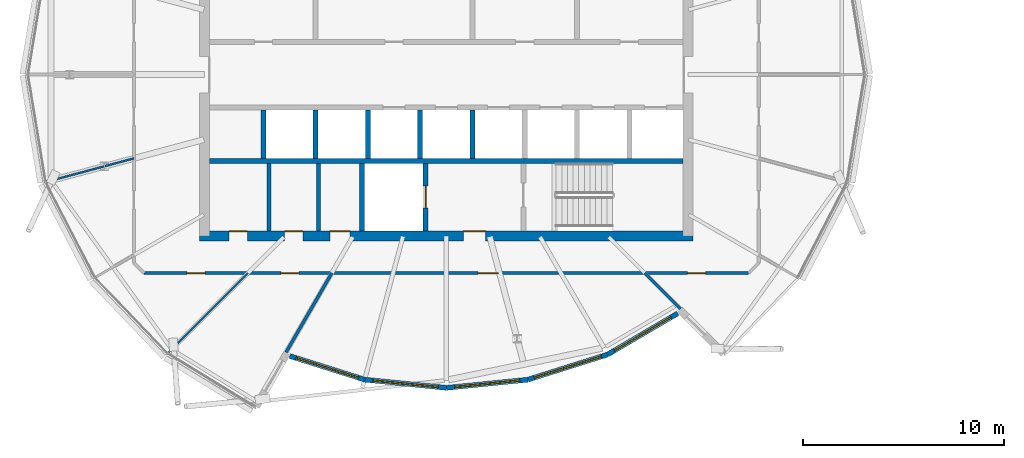
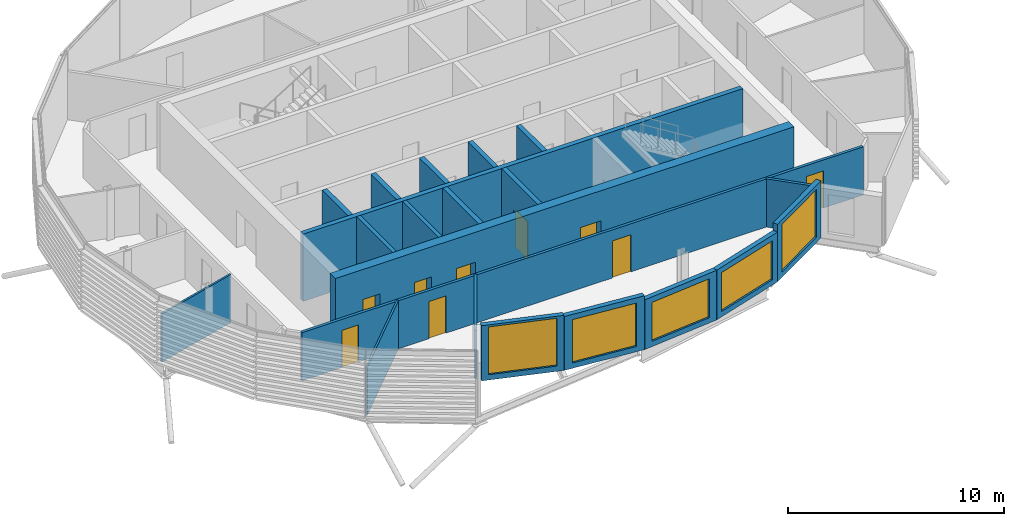
# One storey, part 18 of 35: 21 walls, 9 doors, 5 windows, 14 openings.
"""IFC4 building model written with IfcOpenShell, lengths in metres."""

from ifc_helpers import new_model, si_unit, direction, frame, frame_2d, origin, place, context, subcontext, project, spatial, rectangle, extrude, material, layer, layer_set, type_object, element, fill, save


model = new_model("IFC4")

# Units and contexts
model_context = context("Model", 3, precision=1e-05, world=origin(), true_north=direction((0.0, 1.0)))
body_context = subcontext(model_context, "Body", "Model", "MODEL_VIEW")
ifc_project = project(units=[si_unit("LENGTHUNIT", "METRE"), si_unit("AREAUNIT", "SQUARE_METRE"), si_unit("VOLUMEUNIT", "CUBIC_METRE"), si_unit("PLANEANGLEUNIT", "RADIAN"), si_unit("MASSUNIT", "GRAM", prefix="KILO")], contexts=[model_context])

# Site, building, storey
site_placement = place(None, origin())
site = spatial("IfcSite", under=ifc_project, at=site_placement, CompositionType="ELEMENT")
building_placement = place(site_placement, origin())
building = spatial("IfcBuilding", under=site, at=building_placement, Name="Rimbun Link Towers", CompositionType="ELEMENT")
storey_placement = place(building_placement, frame((0.0, 0.0, 229.5)))
storey = spatial("IfcBuildingStorey", under=building, at=storey_placement, Name="L56", CompositionType="ELEMENT", Elevation=229.5)

# Wall, opening, window
ifc_material_1 = material(Name="Dark enamelled glass spandrel on insulated aluminium backpan", Category="aluminium")
ifc_layer_1 = layer(ifc_material_1, 0.25)
ifc_layer_set_1 = layer_set([ifc_layer_1], Name="CS dark enamelled spandrel wall 250")
wall_type_1 = type_object("IfcWallType", Name="CS dark enamelled spandrel wall 250", PredefinedType="STANDARD", material=ifc_layer_set_1)
wall_1_placement = place(storey_placement, frame((-35.79931640625, -15.140625, 0.0), z_axis=(0.0, 0.0, 1.0), x_axis=(-0.953630833342, 0.300978792773, 0.0)))
wall_1 = element("IfcWall", 1, at=wall_1_placement, inside=storey, type_object=wall_type_1, Name="Crease spandrel wall", PredefinedType="STANDARD", context=body_context, shape_type="SweptSolid", body=[
    extrude(rectangle(XDim=3.90576171875, YDim=0.25, at=frame_2d((1.952880859375, 0.0))), origin(), (0.0, 0.0, 1.0), 3.116943359375),
])
opening_1_placement = place(wall_1_placement, frame((0.327880859375, 0.0, 0.300048828125)))
opening_1 = element("IfcOpeningElement", 2, at=opening_1_placement, cuts=wall_1, Name="Opening WR32H270", PredefinedType="OPENING", context=body_context, shape_type="SweptSolid", body=[
    extrude(rectangle(XDim=3.25, YDim=2.699951171875, at=frame_2d((1.625, 1.35009765625))), frame((0.0, 0.135009765625, 0.0), z_axis=(0.0, -1.0, 0.0), x_axis=(1.0, 0.0, 0.0)), (0.0, 0.0, 1.0), 0.27001953125),
])
ifc_material_2 = material(Name="Aluminium framed fixed window, dark tinted low-e glass", Category="aluminium")
window_type_1 = type_object("IfcWindowType", Name="WR ribbon window 3250X2700", PartitioningType="SINGLE_PANEL", PredefinedType="WINDOW", material=ifc_material_2)
window_1_placement = place(opening_1_placement, origin())
window_1 = element("IfcWindow", 3, at=window_1_placement, inside=storey, type_object=window_type_1, Name="Crease ribbon window", OverallHeight=2.699951171875, OverallWidth=3.25, PartitioningType="SINGLE_PANEL", PredefinedType="WINDOW", context=body_context, shape_type="SweptSolid", body=[
    extrude(rectangle(XDim=3.25, YDim=2.699951171875, at=frame_2d((1.625, 1.35009765625))), frame((0.0, 0.030029296875, 0.0), z_axis=(0.0, -1.0, 0.0), x_axis=(1.0, 0.0, 0.0)), (0.0, 0.0, 1.0), 0.06005859375),
])
fill(opening_1, window_1)

wall_2_placement = place(storey_placement, frame((-31.75, -15.5458984375, 0.0), z_axis=(0.0, 0.0, 1.0), x_axis=(-0.995028870999, 0.099586876032, 0.0)))
wall_2 = element("IfcWall", 4, at=wall_2_placement, inside=storey, type_object=wall_type_1, Name="Crease spandrel wall", PredefinedType="STANDARD", context=body_context, shape_type="SweptSolid", body=[
    extrude(rectangle(XDim=4.069580078125, YDim=0.25, at=frame_2d((2.03466796875, 0.0))), origin(), (0.0, 0.0, 1.0), 3.04736328125),
])
opening_2_placement = place(wall_2_placement, frame((0.40966796875, 0.0, 0.300048828125)))
opening_2 = element("IfcOpeningElement", 5, at=opening_2_placement, cuts=wall_2, Name="Opening WR32H245", PredefinedType="OPENING", context=body_context, shape_type="SweptSolid", body=[
    extrude(rectangle(XDim=3.25, YDim=2.449951171875, at=frame_2d((1.625, 1.22509765625))), frame((0.0, 0.135009765625, 0.0), z_axis=(0.0, -1.0, 0.0), x_axis=(1.0, 0.0, 0.0)), (0.0, 0.0, 1.0), 0.27001953125),
])
ifc_material_3 = material(Name="Aluminium framed fixed window, dark tinted low-e glass", Category="aluminium")
window_type_2 = type_object("IfcWindowType", Name="WR ribbon window 3250X2450", PartitioningType="SINGLE_PANEL", PredefinedType="WINDOW", material=ifc_material_3)
window_2_placement = place(opening_2_placement, origin())
window_2 = element("IfcWindow", 6, at=window_2_placement, inside=storey, type_object=window_type_2, Name="Crease ribbon window", OverallHeight=2.449951171875, OverallWidth=3.25, PartitioningType="SINGLE_PANEL", PredefinedType="WINDOW", context=body_context, shape_type="SweptSolid", body=[
    extrude(rectangle(XDim=3.25, YDim=2.449951171875, at=frame_2d((1.625, 1.22509765625))), frame((0.0, 0.030029296875, 0.0), z_axis=(0.0, -1.0, 0.0), x_axis=(1.0, 0.0, 0.0)), (0.0, 0.0, 1.0), 0.06005859375),
])
fill(opening_2, window_2)

wall_3_placement = place(storey_placement, frame((-27.70068359375, -15.140625, 0.0), z_axis=(0.0, 0.0, 1.0), x_axis=(-0.995028870999, -0.099586876032, 0.0)))
wall_3 = element("IfcWall", 7, at=wall_3_placement, inside=storey, type_object=wall_type_1, Name="Crease spandrel wall", PredefinedType="STANDARD", context=body_context, shape_type="SweptSolid", body=[
    extrude(rectangle(XDim=4.069580078125, YDim=0.25, at=frame_2d((2.03466796875, 0.0))), origin(), (0.0, 0.0, 1.0), 2.809326171875),
])
opening_3_placement = place(wall_3_placement, frame((0.40966796875, 0.0, 0.300048828125)))
opening_3 = element("IfcOpeningElement", 8, at=opening_3_placement, cuts=wall_3, Name="Opening WR32H220", PredefinedType="OPENING", context=body_context, shape_type="SweptSolid", body=[
    extrude(rectangle(XDim=3.25, YDim=2.199951171875, at=frame_2d((1.625, 1.10009765625))), frame((0.0, 0.135009765625, 0.0), z_axis=(0.0, -1.0, 0.0), x_axis=(1.0, 0.0, 0.0)), (0.0, 0.0, 1.0), 0.27001953125),
])
ifc_material_4 = material(Name="Aluminium framed fixed window, dark tinted low-e glass", Category="aluminium")
window_type_3 = type_object("IfcWindowType", Name="WR ribbon window 3250X2200", PartitioningType="SINGLE_PANEL", PredefinedType="WINDOW", material=ifc_material_4)
window_3_placement = place(opening_3_placement, origin())
window_3 = element("IfcWindow", 9, at=window_3_placement, inside=storey, type_object=window_type_3, Name="Crease ribbon window", OverallHeight=2.199951171875, OverallWidth=3.25, PartitioningType="SINGLE_PANEL", PredefinedType="WINDOW", context=body_context, shape_type="SweptSolid", body=[
    extrude(rectangle(XDim=3.25, YDim=2.199951171875, at=frame_2d((1.625, 1.10009765625))), frame((0.0, 0.030029296875, 0.0), z_axis=(0.0, -1.0, 0.0), x_axis=(1.0, 0.0, 0.0)), (0.0, 0.0, 1.0), 0.06005859375),
])
fill(opening_3, window_3)

wall_4_placement = place(storey_placement, frame((-23.74462890625, -13.89208984375, 0.0), z_axis=(0.0, 0.0, 1.0), x_axis=(-0.953634239099, -0.300968001651, 0.0)))
wall_4 = element("IfcWall", 10, at=wall_4_placement, inside=storey, type_object=wall_type_1, Name="Crease spandrel wall", PredefinedType="STANDARD", context=body_context, shape_type="SweptSolid", body=[
    extrude(rectangle(XDim=4.1484375, YDim=0.25, at=frame_2d((2.07421875, 0.0))), origin(), (0.0, 0.0, 1.0), 2.809326171875),
])
opening_4_placement = place(wall_4_placement, frame((0.32421875, 0.0, 0.300048828125)))
opening_4 = element("IfcOpeningElement", 11, at=opening_4_placement, cuts=wall_4, Name="Opening WR35H220", PredefinedType="OPENING", context=body_context, shape_type="SweptSolid", body=[
    extrude(rectangle(XDim=3.5, YDim=2.199951171875, at=frame_2d((1.75, 1.10009765625))), frame((0.0, 0.135009765625, 0.0), z_axis=(0.0, -1.0, 0.0), x_axis=(1.0, 0.0, 0.0)), (0.0, 0.0, 1.0), 0.27001953125),
])
ifc_material_5 = material(Name="Aluminium framed fixed window, dark tinted low-e glass", Category="aluminium")
window_type_4 = type_object("IfcWindowType", Name="WR ribbon window 3500X2200", PartitioningType="SINGLE_PANEL", PredefinedType="WINDOW", material=ifc_material_5)
window_4_placement = place(opening_4_placement, origin())
window_4 = element("IfcWindow", 12, at=window_4_placement, inside=storey, type_object=window_type_4, Name="Crease ribbon window", OverallHeight=2.199951171875, OverallWidth=3.5, PartitioningType="SINGLE_PANEL", PredefinedType="WINDOW", context=body_context, shape_type="SweptSolid", body=[
    extrude(rectangle(XDim=3.5, YDim=2.199951171875, at=frame_2d((1.75, 1.10009765625))), frame((0.0, 0.030029296875, 0.0), z_axis=(0.0, -1.0, 0.0), x_axis=(1.0, 0.0, 0.0)), (0.0, 0.0, 1.0), 0.06005859375),
])
fill(opening_4, window_4)

wall_5_placement = place(storey_placement, frame((-20.258544921875, -11.844970703125, 0.0), z_axis=(0.0, 0.0, 1.0), x_axis=(-0.86231432339, -0.506373387606, 0.0)))
wall_5 = element("IfcWall", 13, at=wall_5_placement, inside=storey, type_object=wall_type_1, Name="Crease spandrel wall", PredefinedType="STANDARD", context=body_context, shape_type="SweptSolid", body=[
    extrude(rectangle(XDim=4.042724609375, YDim=0.25, at=frame_2d((2.021484375, 0.0))), origin(), (0.0, 0.0, 1.0), 3.24365234375),
])
opening_5_placement = place(wall_5_placement, frame((0.396484375, 0.0, 0.300048828125)))
opening_5 = element("IfcOpeningElement", 14, at=opening_5_placement, cuts=wall_5, Name="Opening WR32H270", PredefinedType="OPENING", context=body_context, shape_type="SweptSolid", body=[
    extrude(rectangle(XDim=3.25, YDim=2.699951171875, at=frame_2d((1.625, 1.35009765625))), frame((0.0, 0.135009765625, 0.0), z_axis=(0.0, -1.0, 0.0), x_axis=(1.0, 0.0, 0.0)), (0.0, 0.0, 1.0), 0.27001953125),
])
window_5_placement = place(opening_5_placement, origin())
window_5 = element("IfcWindow", 15, at=window_5_placement, inside=storey, type_object=window_type_1, Name="Crease ribbon window", OverallHeight=2.699951171875, OverallWidth=3.25, PartitioningType="SINGLE_PANEL", PredefinedType="WINDOW", context=body_context, shape_type="SweptSolid", body=[
    extrude(rectangle(XDim=3.25, YDim=2.699951171875, at=frame_2d((1.625, 1.35009765625))), frame((0.0, 0.030029296875, 0.0), z_axis=(0.0, -1.0, 0.0), x_axis=(1.0, 0.0, 0.0)), (0.0, 0.0, 1.0), 0.06005859375),
])
fill(opening_5, window_5)

# Walls
ifc_material_6 = material(Name="Masonry blockwork", Category="masonry")
ifc_layer_2 = layer(ifc_material_6, 0.199951171875)
ifc_layer_set_2 = layer_set([ifc_layer_2], Name="Core partition 200")
wall_type_2 = type_object("IfcWallType", Name="Core partition 200", PredefinedType="PARTITIONING", material=ifc_layer_set_2)
for number, where, z_axis, x_axis, name in (
    (16, (-40.550048828125, -4.39990234375, 0.0), (0.0, 0.0, 1.0), (0.0, -1.0, 0.0), "L56 T1 core wall C1"),
    (17, (-38.10009765625, -4.39990234375, 0.0), (0.0, 0.0, 1.0), (0.0, -1.0, 0.0), "L56 T1 core wall C2"),
):
    element("IfcWall", number, at=place(storey_placement, frame(where, z_axis=z_axis, x_axis=x_axis)), inside=storey, type_object=wall_type_2, Name=name, PredefinedType="PARTITIONING", context=body_context, shape_type="SweptSolid", body=[
        extrude(rectangle(XDim=3.35009765625, YDim=0.199951171875, at=frame_2d((1.675048828125, 0.0))), origin(), (0.0, 0.0, 1.0), 3.800048828125),
    ])

# Wall, openings, doors
ifc_material_7 = material(Name="Concrete C60/75", Category="concrete")
ifc_layer_3 = layer(ifc_material_7, 0.5)
ifc_layer_set_3 = layer_set([ifc_layer_3], Name="Core shear wall 500")
wall_type_3 = type_object("IfcWallType", Name="Core shear wall 500", PredefinedType="SHEAR", material=ifc_layer_set_3)
wall_6_placement = place(storey_placement, frame((-44.0, -8.0, 0.0), z_axis=(0.0, 0.0, 1.0), x_axis=(1.0, 0.0, 0.0)))
wall_6 = element("IfcWall", 18, at=wall_6_placement, inside=storey, type_object=wall_type_3, Name="L56 T1 core wall S", PredefinedType="SHEAR", context=body_context, shape_type="SweptSolid", body=[
    extrude(rectangle(XDim=24.5, YDim=0.5, at=frame_2d((12.25, 0.0))), origin(), (0.0, 0.0, 1.0), 3.800048828125),
])
opening_6_placement = place(wall_6_placement, frame((13.10009765625, 0.0, 0.0)))
opening_6 = element("IfcOpeningElement", 19, at=opening_6_placement, cuts=wall_6, Name="Opening C1DCF01S", PredefinedType="OPENING", context=body_context, shape_type="SweptSolid", body=[
    extrude(rectangle(XDim=1.10009765625, YDim=2.10009765625, at=frame_2d((0.550048828125, 1.050048828125))), frame((0.0, 0.260009765625, 0.0), z_axis=(0.0, -1.0, 0.0), x_axis=(1.0, 0.0, 0.0)), (0.0, 0.0, 1.0), 0.52001953125),
])
opening_7_placement = place(wall_6_placement, frame((1.47509765625, 0.0, 0.0)))
opening_7 = element("IfcOpeningElement", 20, at=opening_7_placement, cuts=wall_6, Name="Opening C1DWC02S", PredefinedType="OPENING", context=body_context, shape_type="SweptSolid", body=[
    extrude(rectangle(XDim=0.89990234375, YDim=2.10009765625, at=frame_2d((0.449951171875, 1.050048828125))), frame((0.0, 0.260009765625, 0.0), z_axis=(0.0, -1.0, 0.0), x_axis=(1.0, 0.0, 0.0)), (0.0, 0.0, 1.0), 0.52001953125),
])
opening_8_placement = place(wall_6_placement, frame((4.22509765625, 0.0, 0.0)))
opening_8 = element("IfcOpeningElement", 21, at=opening_8_placement, cuts=wall_6, Name="Opening C1DWC03S", PredefinedType="OPENING", context=body_context, shape_type="SweptSolid", body=[
    extrude(rectangle(XDim=0.89990234375, YDim=2.10009765625, at=frame_2d((0.449951171875, 1.050048828125))), frame((0.0, 0.260009765625, 0.0), z_axis=(0.0, -1.0, 0.0), x_axis=(1.0, 0.0, 0.0)), (0.0, 0.0, 1.0), 0.52001953125),
])
opening_9_placement = place(wall_6_placement, frame((6.47509765625, 0.0, 0.0)))
opening_9 = element("IfcOpeningElement", 22, at=opening_9_placement, cuts=wall_6, Name="Opening C1DAW04S", PredefinedType="OPENING", context=body_context, shape_type="SweptSolid", body=[
    extrude(rectangle(XDim=1.0, YDim=2.10009765625, at=frame_2d((0.5, 1.050048828125))), frame((0.0, 0.260009765625, 0.0), z_axis=(0.0, -1.0, 0.0), x_axis=(1.0, 0.0, 0.0)), (0.0, 0.0, 1.0), 0.52001953125),
])
ifc_material_8 = material(Name="Timber", Category="wood")
door_type_1 = type_object("IfcDoorType", Name="Accessible WC door", OperationType="SINGLE_SWING_LEFT", PredefinedType="DOOR", material=ifc_material_8)
door_1_placement = place(opening_9_placement, origin())
door_1 = element("IfcDoor", 23, at=door_1_placement, inside=storey, type_object=door_type_1, Name="L56 T1 accessible wc door", OperationType="SINGLE_SWING_LEFT", OverallHeight=2.10009765625, OverallWidth=1.0, PredefinedType="DOOR", context=body_context, shape_type="SweptSolid", body=[
    extrude(rectangle(XDim=1.0, YDim=2.10009765625, at=frame_2d((0.5, 1.050048828125))), frame((0.0, 0.25, 0.0), z_axis=(0.0, -1.0, 0.0), x_axis=(1.0, 0.0, 0.0)), (0.0, 0.0, 1.0), 0.050048828125),
])
fill(opening_9, door_1)
ifc_material_9 = material(Name="Steel fire door set", Category="steel")
door_type_2 = type_object("IfcDoorType", Name="Core fire door single", OperationType="SINGLE_SWING_LEFT", PredefinedType="DOOR", material=ifc_material_9)
door_2_placement = place(opening_6_placement, origin())
door_2 = element("IfcDoor", 24, at=door_2_placement, inside=storey, type_object=door_type_2, Name="L56 T1 firefighting lobby s door", OperationType="SINGLE_SWING_RIGHT", OverallHeight=2.10009765625, OverallWidth=1.10009765625, PredefinedType="DOOR", context=body_context, shape_type="SweptSolid", body=[
    extrude(rectangle(XDim=1.10009765625, YDim=2.10009765625, at=frame_2d((0.550048828125, 1.050048828125))), frame((0.0, 0.25, 0.0), z_axis=(0.0, -1.0, 0.0), x_axis=(1.0, 0.0, 0.0)), (0.0, 0.0, 1.0), 0.050048828125),
])
fill(opening_6, door_2)
ifc_material_10 = material(Name="Timber", Category="wood")
door_type_3 = type_object("IfcDoorType", Name="WC door", OperationType="SINGLE_SWING_LEFT", PredefinedType="DOOR", material=ifc_material_10)
door_3_placement = place(opening_7_placement, origin())
door_3 = element("IfcDoor", 25, at=door_3_placement, inside=storey, type_object=door_type_3, Name="L56 T1 male wc door", OperationType="SINGLE_SWING_RIGHT", OverallHeight=2.10009765625, OverallWidth=0.89990234375, PredefinedType="DOOR", context=body_context, shape_type="SweptSolid", body=[
    extrude(rectangle(XDim=0.89990234375, YDim=2.10009765625, at=frame_2d((0.449951171875, 1.050048828125))), frame((0.0, 0.25, 0.0), z_axis=(0.0, -1.0, 0.0), x_axis=(1.0, 0.0, 0.0)), (0.0, 0.0, 1.0), 0.050048828125),
])
fill(opening_7, door_3)
door_4_placement = place(opening_8_placement, origin())
door_4 = element("IfcDoor", 26, at=door_4_placement, inside=storey, type_object=door_type_3, Name="L56 T1 female wc door", OperationType="SINGLE_SWING_RIGHT", OverallHeight=2.10009765625, OverallWidth=0.89990234375, PredefinedType="DOOR", context=body_context, shape_type="SweptSolid", body=[
    extrude(rectangle(XDim=0.89990234375, YDim=2.10009765625, at=frame_2d((0.449951171875, 1.050048828125))), frame((0.0, 0.25, 0.0), z_axis=(0.0, -1.0, 0.0), x_axis=(1.0, 0.0, 0.0)), (0.0, 0.0, 1.0), 0.050048828125),
])
fill(opening_8, door_4)

ifc_material_11 = material(Name="Plasterboard on steel stud, mineral wool", Category="steel")
ifc_layer_4 = layer(ifc_material_11, 0.14990234375)
ifc_layer_set_4 = layer_set([ifc_layer_4], Name="Corridor wall EI 30 150 mm")
wall_type_4 = type_object("IfcWallType", Name="Corridor wall EI 30 150 mm", PredefinedType="PARTITIONING", material=ifc_layer_set_4)
wall_7_placement = place(storey_placement, frame((-16.746337890625, -9.844970703125, 0.0), z_axis=(0.0, 0.0, 1.0), x_axis=(-1.0, 0.0, 0.0)))
wall_7 = element("IfcWall", 27, at=wall_7_placement, inside=storey, type_object=wall_type_4, Name="Corridor wall EI 30 150 mm", PredefinedType="PARTITIONING", context=body_context, shape_type="SweptSolid", body=[
    extrude(rectangle(XDim=30.00732421875, YDim=0.14990234375, at=frame_2d((15.003662109375, 0.0))), origin(), (0.0, 0.0, 1.0), 2.721923828125),
])
opening_10_placement = place(wall_7_placement, frame((2.12939453125, 0.0, 0.0)))
opening_10 = element("IfcOpeningElement", 28, at=opening_10_placement, cuts=wall_7, Name="Opening D02", PredefinedType="OPENING", context=body_context, shape_type="SweptSolid", body=[
    extrude(rectangle(XDim=0.89990234375, YDim=2.10009765625, at=frame_2d((0.449951171875, 1.050048828125))), frame((0.0, 0.0849609375, 0.0), z_axis=(0.0, -1.0, 0.0), x_axis=(1.0, 0.0, 0.0)), (0.0, 0.0, 1.0), 0.169921875),
])
opening_11_placement = place(wall_7_placement, frame((26.97802734375, 0.0, 0.0)))
opening_11 = element("IfcOpeningElement", 29, at=opening_11_placement, cuts=wall_7, Name="Opening D02", PredefinedType="OPENING", context=body_context, shape_type="SweptSolid", body=[
    extrude(rectangle(XDim=0.89990234375, YDim=2.10009765625, at=frame_2d((0.449951171875, 1.050048828125))), frame((0.0, 0.0849609375, 0.0), z_axis=(0.0, -1.0, 0.0), x_axis=(1.0, 0.0, 0.0)), (0.0, 0.0, 1.0), 0.169921875),
])
opening_12_placement = place(wall_7_placement, frame((22.318115234375, 0.0, 0.0)))
opening_12 = element("IfcOpeningElement", 30, at=opening_12_placement, cuts=wall_7, Name="Opening D02", PredefinedType="OPENING", context=body_context, shape_type="SweptSolid", body=[
    extrude(rectangle(XDim=0.89990234375, YDim=2.10009765625, at=frame_2d((0.449951171875, 1.050048828125))), frame((0.0, 0.0849609375, 0.0), z_axis=(0.0, -1.0, 0.0), x_axis=(1.0, 0.0, 0.0)), (0.0, 0.0, 1.0), 0.169921875),
])
opening_13_placement = place(wall_7_placement, frame((12.423095703125, 0.0, 0.0)))
opening_13 = element("IfcOpeningElement", 31, at=opening_13_placement, cuts=wall_7, Name="Opening D01", PredefinedType="OPENING", context=body_context, shape_type="SweptSolid", body=[
    extrude(rectangle(XDim=1.0, YDim=2.10009765625, at=frame_2d((0.5, 1.050048828125))), frame((0.0, 0.0849609375, 0.0), z_axis=(0.0, -1.0, 0.0), x_axis=(1.0, 0.0, 0.0)), (0.0, 0.0, 1.0), 0.169921875),
])
ifc_material_12 = material(Name="Fire-resisting timber door leaf", Category="wood")
door_type_4 = type_object("IfcDoorType", Name="Fire door FD30S 1000", OperationType="NOTDEFINED", PredefinedType="DOOR", material=ifc_material_12)
door_5_placement = place(opening_13_placement, origin())
door_5 = element("IfcDoor", 32, at=door_5_placement, inside=storey, type_object=door_type_4, Name="Fire door FD30S 1000 to Terrace office", OperationType="SINGLE_SWING_RIGHT", OverallHeight=2.10009765625, OverallWidth=1.0, PredefinedType="DOOR", context=body_context, shape_type="SweptSolid", body=[
    extrude(rectangle(XDim=1.0, YDim=2.10009765625, at=frame_2d((0.5, 1.050048828125))), frame((0.0, 0.02490234375, 0.0), z_axis=(0.0, -1.0, 0.0), x_axis=(1.0, 0.0, 0.0)), (0.0, 0.0, 1.0), 0.050048828125),
])
fill(opening_13, door_5)
ifc_material_13 = material(Name="Fire-resisting timber door leaf", Category="wood")
door_type_5 = type_object("IfcDoorType", Name="Fire door FD30S 900", OperationType="NOTDEFINED", PredefinedType="DOOR", material=ifc_material_13)
door_6_placement = place(opening_10_placement, origin())
door_6 = element("IfcDoor", 33, at=door_6_placement, inside=storey, type_object=door_type_5, Name="Fire door FD30S 900 to Meeting room", OperationType="SINGLE_SWING_LEFT", OverallHeight=2.10009765625, OverallWidth=0.89990234375, PredefinedType="DOOR", context=body_context, shape_type="SweptSolid", body=[
    extrude(rectangle(XDim=0.89990234375, YDim=2.10009765625, at=frame_2d((0.449951171875, 1.050048828125))), frame((0.0, 0.02490234375, 0.0), z_axis=(0.0, -1.0, 0.0), x_axis=(1.0, 0.0, 0.0)), (0.0, 0.0, 1.0), 0.050048828125),
])
fill(opening_10, door_6)
door_7_placement = place(opening_11_placement, origin())
door_7 = element("IfcDoor", 34, at=door_7_placement, inside=storey, type_object=door_type_5, Name="Fire door FD30S 900 to Open office", OperationType="SINGLE_SWING_RIGHT", OverallHeight=2.10009765625, OverallWidth=0.89990234375, PredefinedType="DOOR", context=body_context, shape_type="SweptSolid", body=[
    extrude(rectangle(XDim=0.89990234375, YDim=2.10009765625, at=frame_2d((0.449951171875, 1.050048828125))), frame((0.0, 0.02490234375, 0.0), z_axis=(0.0, -1.0, 0.0), x_axis=(1.0, 0.0, 0.0)), (0.0, 0.0, 1.0), 0.050048828125),
])
fill(opening_11, door_7)
door_8_placement = place(opening_12_placement, origin())
door_8 = element("IfcDoor", 35, at=door_8_placement, inside=storey, type_object=door_type_5, Name="Fire door FD30S 900 to Boardroom", OperationType="SINGLE_SWING_LEFT", OverallHeight=2.10009765625, OverallWidth=0.89990234375, PredefinedType="DOOR", context=body_context, shape_type="SweptSolid", body=[
    extrude(rectangle(XDim=0.89990234375, YDim=2.10009765625, at=frame_2d((0.449951171875, 1.050048828125))), frame((0.0, 0.02490234375, 0.0), z_axis=(0.0, -1.0, 0.0), x_axis=(1.0, 0.0, 0.0)), (0.0, 0.0, 1.0), 0.050048828125),
])
fill(opening_12, door_8)

# Walls
ifc_material_14 = material(Name="Plasterboard on steel stud", Category="steel")
ifc_layer_5 = layer(ifc_material_14, 0.10009765625)
ifc_layer_set_5 = layer_set([ifc_layer_5], Name="Plasterboard partition 100 mm")
wall_type_5 = type_object("IfcWallType", Name="Plasterboard partition 100 mm", PredefinedType="PARTITIONING", material=ifc_layer_set_5)
wall_8_placement = place(storey_placement, frame((-51.6171875, -5.323486328125, 0.0), z_axis=(0.0, 0.0, 1.0), x_axis=(0.965921990313, 0.258833360735, 0.0)))
element("IfcWall", 36, at=wall_8_placement, inside=storey, type_object=wall_type_5, Name="Plasterboard partition 100 mm", PredefinedType="PARTITIONING", context=body_context, shape_type="SweptSolid", body=[
    extrude(rectangle(XDim=4.51611328125, YDim=0.10009765625, at=frame_2d((2.258056640625, 0.0))), origin(), (0.0, 0.0, 1.0), 2.721923828125),
])
wall_9_placement = place(storey_placement, frame((-45.56494140625, -13.81494140625, 0.0), z_axis=(0.0, 0.0, 1.0), x_axis=(0.707106781187, 0.707106781187, 0.0)))
element("IfcWall", 37, at=wall_9_placement, inside=storey, type_object=wall_type_5, Name="Plasterboard partition 100 mm", PredefinedType="PARTITIONING", context=body_context, shape_type="SweptSolid", body=[
    extrude(rectangle(XDim=5.614501953125, YDim=0.10009765625, at=frame_2d((2.80712890625, 0.0))), origin(), (0.0, 0.0, 1.0), 2.721923828125),
])
ifc_material_15 = material(Name="Concrete C60/75", Category="concrete")
ifc_layer_6 = layer(ifc_material_15, 0.25)
ifc_layer_set_6 = layer_set([ifc_layer_6], Name="Shaft wall 250")
wall_type_6 = type_object("IfcWallType", Name="Shaft wall 250", PredefinedType="SHEAR", material=ifc_layer_set_6)
wall_10_placement = place(storey_placement, frame((-43.5, -4.27490234375, 0.0), z_axis=(0.0, 0.0, 1.0), x_axis=(1.0, 0.0, 0.0)))
element("IfcWall", 38, at=wall_10_placement, inside=storey, type_object=wall_type_6, Name="L56 T1 core wall BS", PredefinedType="SHEAR", context=body_context, shape_type="SweptSolid", body=[
    extrude(rectangle(XDim=23.5, YDim=0.25, at=frame_2d((11.75, 0.0))), origin(), (0.0, 0.0, 1.0), 3.800048828125),
])
for number, where, z_axis, x_axis, name in (
    (39, (-40.83056640625, -4.14990234375, 0.0), (0.0, 0.0, 1.0), (0.0, 1.0, 0.0), "L56 T1 core wall DS0"),
    (40, (-38.236083984375, -4.14990234375, 0.0), (0.0, 0.0, 1.0), (0.0, 1.0, 0.0), "L56 T1 core wall DS1"),
    (41, (-35.6416015625, -4.14990234375, 0.0), (0.0, 0.0, 1.0), (0.0, 1.0, 0.0), "L56 T1 core wall DS2"),
    (42, (-33.047119140625, -4.14990234375, 0.0), (0.0, 0.0, 1.0), (0.0, 1.0, 0.0), "L56 T1 core wall DS3"),
    (43, (-30.452880859375, -4.14990234375, 0.0), (0.0, 0.0, 1.0), (0.0, 1.0, 0.0), "L56 T1 core wall DS4"),
):
    element("IfcWall", number, at=place(storey_placement, frame(where, z_axis=z_axis, x_axis=x_axis)), inside=storey, type_object=wall_type_6, Name=name, PredefinedType="SHEAR", context=body_context, shape_type="SweptSolid", body=[
        extrude(rectangle(XDim=2.39990234375, YDim=0.25, at=frame_2d((1.199951171875, 0.0))), origin(), (0.0, 0.0, 1.0), 3.800048828125),
    ])

# Wall, opening, door
wall_11_placement = place(storey_placement, frame((-32.77490234375, -4.39990234375, 0.0), z_axis=(0.0, 0.0, 1.0), x_axis=(0.0, -1.0, 0.0)))
wall_11 = element("IfcWall", 44, at=wall_11_placement, inside=storey, type_object=wall_type_6, Name="L56 T1 core wall B2", PredefinedType="SHEAR", context=body_context, shape_type="SweptSolid", body=[
    extrude(rectangle(XDim=3.35009765625, YDim=0.25, at=frame_2d((1.675048828125, 0.0))), origin(), (0.0, 0.0, 1.0), 3.800048828125),
])
opening_14_placement = place(wall_11_placement, frame((1.125, 0.0, 0.0)))
opening_14 = element("IfcOpeningElement", 45, at=opening_14_placement, cuts=wall_11, Name="Opening LD-T1-FF2", PredefinedType="OPENING", context=body_context, shape_type="SweptSolid", body=[
    extrude(rectangle(XDim=1.10009765625, YDim=2.10009765625, at=frame_2d((0.550048828125, 1.050048828125))), frame((0.0, 0.135009765625, 0.0), z_axis=(0.0, -1.0, 0.0), x_axis=(1.0, 0.0, 0.0)), (0.0, 0.0, 1.0), 0.27001953125),
])
ifc_material_16 = material(Name="Stainless steel grade 316", Category="steel")
door_type_6 = type_object("IfcDoorType", Name="Lift landing door", OperationType="DOUBLE_DOOR_SLIDING", PredefinedType="DOOR", material=ifc_material_16)
door_9_placement = place(opening_14_placement, origin())
door_9 = element("IfcDoor", 46, at=door_9_placement, inside=storey, type_object=door_type_6, Name="L56 T1 lift FF2 landing door", OperationType="DOUBLE_DOOR_SLIDING", OverallHeight=2.10009765625, OverallWidth=1.10009765625, PredefinedType="DOOR", context=body_context, shape_type="SweptSolid", body=[
    extrude(rectangle(XDim=1.10009765625, YDim=2.10009765625, at=frame_2d((0.550048828125, 1.050048828125))), frame((0.0, 0.02490234375, 0.0), z_axis=(0.0, -1.0, 0.0), x_axis=(1.0, 0.0, 0.0)), (0.0, 0.0, 1.0), 0.050048828125),
])
fill(opening_14, door_9)

# Walls
wall_12_placement = place(storey_placement, frame((-35.925048828125, -4.39990234375, 0.0), z_axis=(0.0, 0.0, 1.0), x_axis=(0.0, -1.0, 0.0)))
element("IfcWall", 47, at=wall_12_placement, inside=storey, type_object=wall_type_6, Name="L56 T1 core wall B3", PredefinedType="SHEAR", context=body_context, shape_type="SweptSolid", body=[
    extrude(rectangle(XDim=3.35009765625, YDim=0.25, at=frame_2d((1.675048828125, 0.0))), origin(), (0.0, 0.0, 1.0), 3.800048828125),
])
ifc_material_17 = material(Name="Plasterboard on steel stud, mineral wool", Category="steel")
ifc_layer_7 = layer(ifc_material_17, 0.14990234375)
ifc_layer_set_7 = layer_set([ifc_layer_7], Name="Tenancy separation wall EI 60 150 mm")
wall_type_7 = type_object("IfcWallType", Name="Tenancy separation wall EI 60 150 mm", PredefinedType="PARTITIONING", material=ifc_layer_set_7)
wall_13_placement = place(storey_placement, frame((-37.43408203125, -9.844970703125, 0.0), z_axis=(0.0, 0.0, 1.0), x_axis=(-0.499967598186, -0.866044110172, 0.0)))
element("IfcWall", 48, at=wall_13_placement, inside=storey, type_object=wall_type_7, Name="Tenancy separation wall EI 60 150 mm", PredefinedType="PARTITIONING", context=body_context, shape_type="SweptSolid", body=[
    extrude(rectangle(XDim=4.540283203125, YDim=0.14990234375, at=frame_2d((2.27001953125, 0.0))), origin(), (0.0, 0.0, 1.0), 2.721923828125),
])
wall_14_placement = place(storey_placement, frame((-21.905029296875, -9.844970703125, 0.0), z_axis=(0.0, 0.0, 1.0), x_axis=(0.707106781187, -0.707106781187, 0.0)))
element("IfcWall", 49, at=wall_14_placement, inside=storey, type_object=wall_type_7, Name="Tenancy separation wall EI 60 150 mm", PredefinedType="PARTITIONING", context=body_context, shape_type="SweptSolid", body=[
    extrude(rectangle(XDim=2.51416015625, YDim=0.14990234375, at=frame_2d((1.257080078125, 0.0))), origin(), (0.0, 0.0, 1.0), 2.721923828125),
])

save(model, "model.ifc")
